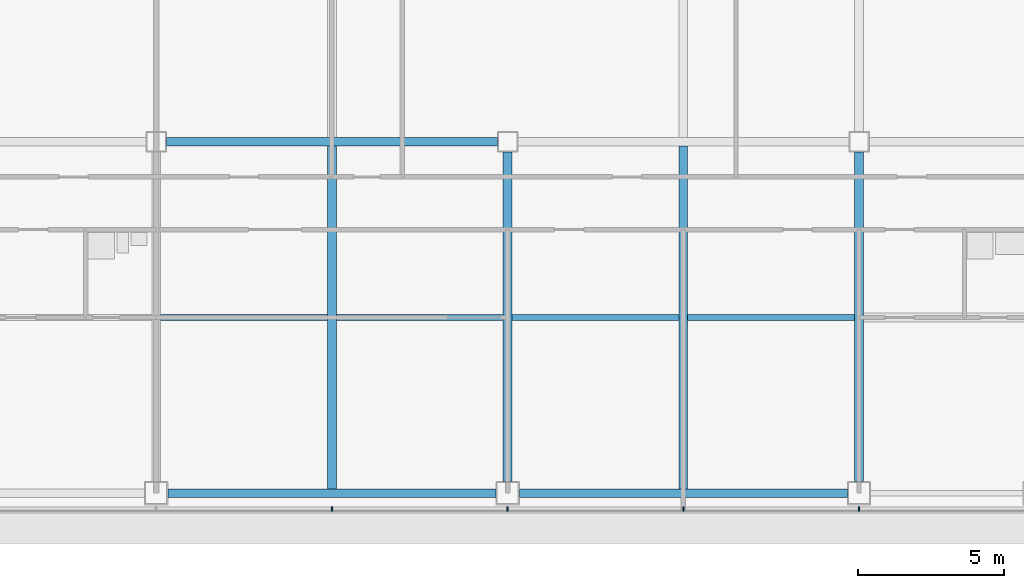
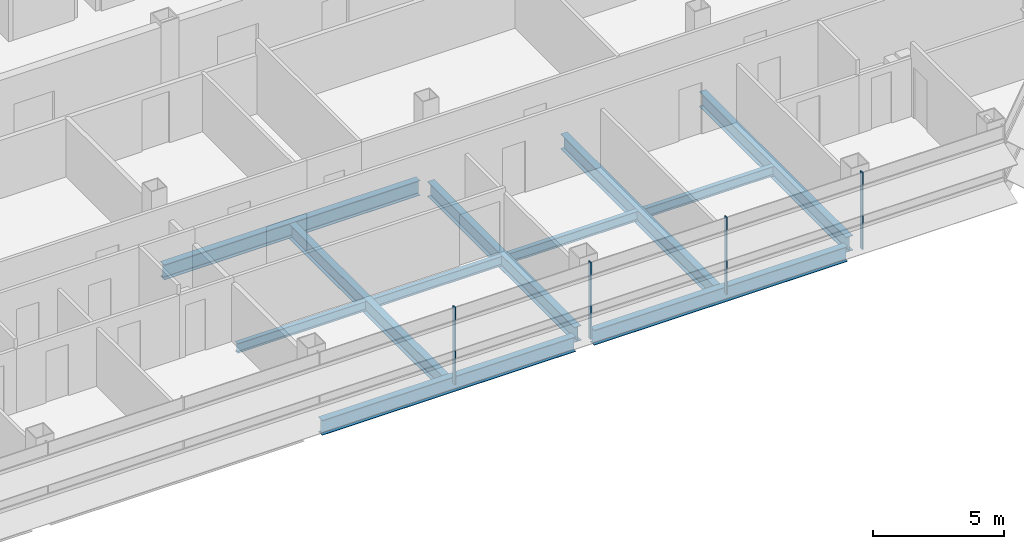
# One storey, part 8 of 25: 11 beams, 4 members, 1 element without a shape of its own.
"""IFC4 building model written with IfcOpenShell, lengths in metres."""

from ifc_helpers import new_model, si_unit, direction, frame, origin, origin_2d, place, context, subcontext, project, spatial, rectangle, i_section, extrude, material, material_profile, profile_set, type_object, element, aggregate, save


model = new_model("IFC4")

# Units and contexts
model_context = context("Model", 3, precision=1e-05, world=origin(), true_north=direction((0.0, 1.0)))
body_context = subcontext(model_context, "Body", "Model", "MODEL_VIEW")
ifc_project = project(units=[si_unit("LENGTHUNIT", "METRE"), si_unit("AREAUNIT", "SQUARE_METRE"), si_unit("VOLUMEUNIT", "CUBIC_METRE"), si_unit("PLANEANGLEUNIT", "RADIAN"), si_unit("MASSUNIT", "GRAM", prefix="KILO")], contexts=[model_context])

# Site, building, storey
site_placement = place(None, origin())
site = spatial("IfcSite", under=ifc_project, at=site_placement, CompositionType="ELEMENT")
building_placement = place(site_placement, origin())
building = spatial("IfcBuilding", under=site, at=building_placement, Name="Sorahane Residences", CompositionType="ELEMENT")
storey_placement = place(building_placement, frame((0.0, 0.0, 143.800048828125)))
storey = spatial("IfcBuildingStorey", under=building, at=storey_placement, Name="L32", CompositionType="ELEMENT", Elevation=143.800048828125)

# Curtain wall, members
ifc_material_1 = material(Name="Dark low-e glass and black anodised aluminium", Category="aluminium")
curtain_wall_type = type_object("IfcCurtainWallType", Name="Curtain wall CW-1 Typical unitised wall", PredefinedType="NOTDEFINED", material=ifc_material_1)
curtain_wall_placement = place(storey_placement, origin())
curtain_wall = element("IfcCurtainWall", 1, at=curtain_wall_placement, inside=storey, type_object=curtain_wall_type, Name="CW-1 curtain wall L32 S1", PredefinedType="NOTDEFINED")
ifc_material_2 = material(Name="Black anodised aluminium", Category="aluminium")
ifc_material_profile_1 = material_profile(ifc_material_2, rectangle(XDim=0.159912109375, YDim=0.050048828125, at=origin_2d()), Name="Curtain wall mullion CW-1 black anodised aluminium 50x160")
ifc_profile_set_1 = profile_set([ifc_material_profile_1], Name="Black anodised aluminium")
member_type = type_object("IfcMemberType", Name="Curtain wall mullion CW-1 black anodised aluminium 50x160", PredefinedType="MULLION", material=ifc_profile_set_1)
member_1_placement = place(storey_placement, frame((30.0, -0.5400390625, -0.179931640625), z_axis=(0.0, 0.0, 1.0), x_axis=(0.0, -1.0, 0.0)))
member_1 = element("IfcMember", 2, at=member_1_placement, type_object=member_type, Name="CW-1 mullion L32 S1.6", PredefinedType="MULLION", context=body_context, shape_type="SweptSolid", body=[
    extrude(rectangle(XDim=0.159912109375, YDim=0.050048828125, at=origin_2d()), origin(), (0.0, 0.0, 1.0), 3.599853515625),
])
member_2_placement = place(storey_placement, frame((36.0, -0.5400390625, -0.179931640625), z_axis=(0.0, 0.0, 1.0), x_axis=(0.0, -1.0, 0.0)))
member_2 = element("IfcMember", 3, at=member_2_placement, type_object=member_type, Name="CW-1 mullion L32 S1.7", PredefinedType="MULLION", context=body_context, shape_type="SweptSolid", body=[
    extrude(rectangle(XDim=0.159912109375, YDim=0.050048828125, at=origin_2d()), origin(), (0.0, 0.0, 1.0), 3.599853515625),
])
member_3_placement = place(storey_placement, frame((42.0, -0.5400390625, -0.179931640625), z_axis=(0.0, 0.0, 1.0), x_axis=(0.0, -1.0, 0.0)))
member_3 = element("IfcMember", 4, at=member_3_placement, type_object=member_type, Name="CW-1 mullion L32 S1.8", PredefinedType="MULLION", context=body_context, shape_type="SweptSolid", body=[
    extrude(rectangle(XDim=0.159912109375, YDim=0.050048828125, at=origin_2d()), origin(), (0.0, 0.0, 1.0), 3.599853515625),
])
member_4_placement = place(storey_placement, frame((48.0, -0.5400390625, -0.179931640625), z_axis=(0.0, 0.0, 1.0), x_axis=(0.0, -1.0, 0.0)))
member_4 = element("IfcMember", 5, at=member_4_placement, type_object=member_type, Name="CW-1 mullion L32 S1.9", PredefinedType="MULLION", context=body_context, shape_type="SweptSolid", body=[
    extrude(rectangle(XDim=0.159912109375, YDim=0.050048828125, at=origin_2d()), origin(), (0.0, 0.0, 1.0), 3.599853515625),
])
aggregate(curtain_wall, [member_1, member_2, member_3, member_4])

# Beams
ifc_material_3 = material(Name="Steel Q355B", Category="steel")
ifc_material_profile_2 = material_profile(ifc_material_3, i_section(OverallWidth=0.199951171875, OverallDepth=0.449951171875, WebThickness=0.009033203125, FlangeThickness=0.013916015625, FilletRadius=0.02001953125, at=origin_2d()), Name="HN 450x200x9x14")
ifc_profile_set_2 = profile_set([ifc_material_profile_2], Name="Steel Q355B")
beam_type_1 = type_object("IfcBeamType", Name="Steel floor beam HN 450x200x9x14 Q355B", PredefinedType="BEAM", material=ifc_profile_set_2)
for number, where, z_axis, x_axis, name in (
    (6, (24.14990234375, 6.0, -0.405029296875), (1.0, 0.0, 0.0), (0.0, 1.0, 0.0), "Beam L32 073"),
    (7, (30.14990234375, 6.0, -0.405029296875), (1.0, 0.0, 0.0), (0.0, 1.0, 0.0), "Beam L32 074"),
    (8, (36.14990234375, 6.0, -0.405029296875), (1.0, 0.0, 0.0), (0.0, 1.0, 0.0), "Beam L32 075"),
    (9, (42.14990234375, 6.0, -0.405029296875), (1.0, 0.0, 0.0), (0.0, 1.0, 0.0), "Beam L32 076"),
):
    element("IfcBeam", number, at=place(storey_placement, frame(where, z_axis=z_axis, x_axis=x_axis)), inside=storey, type_object=beam_type_1, Name=name, PredefinedType="BEAM", context=body_context, shape_type="SweptSolid", body=[
        extrude(i_section(OverallWidth=0.199951171875, OverallDepth=0.449951171875, WebThickness=0.009033203125, FlangeThickness=0.013916015625, FilletRadius=0.02001953125, at=origin_2d()), origin(), (0.0, 0.0, 1.0), 5.7001953125),
    ])
ifc_material_4 = material(Name="Steel Q355B", Category="steel")
ifc_material_profile_3 = material_profile(ifc_material_4, i_section(OverallWidth=0.300048828125, OverallDepth=0.699951171875, WebThickness=0.012939453125, FlangeThickness=0.02392578125, FilletRadius=0.028076171875, at=origin_2d()), Name="HN 700x300x13x24")
ifc_profile_set_3 = profile_set([ifc_material_profile_3], Name="Steel Q355B")
beam_type_2 = type_object("IfcBeamType", Name="Steel floor beam HN 700x300x13x24 Q355B", PredefinedType="BEAM", material=ifc_profile_set_3)
for number, where, z_axis, x_axis, name in (
    (10, (24.39990234375, 0.0, -0.530029296875), (1.0, 0.0, 0.0), (0.0, 1.0, 0.0), "Beam L32 002"),
    (11, (36.39990234375, 0.0, -0.530029296875), (1.0, 0.0, 0.0), (0.0, 1.0, 0.0), "Beam L32 003"),
):
    element("IfcBeam", number, at=place(storey_placement, frame(where, z_axis=z_axis, x_axis=x_axis)), inside=storey, type_object=beam_type_2, Name=name, PredefinedType="BEAM", context=body_context, shape_type="SweptSolid", body=[
        extrude(i_section(OverallWidth=0.300048828125, OverallDepth=0.699951171875, WebThickness=0.012939453125, FlangeThickness=0.02392578125, FilletRadius=0.028076171875, at=origin_2d()), origin(), (0.0, 0.0, 1.0), 11.2001953125),
    ])
beam_1_placement = place(storey_placement, frame((24.35009765625, 12.0, -0.530029296875), z_axis=(1.0, 0.0, 0.0), x_axis=(0.0, 1.0, 0.0)))
element("IfcBeam", 12, at=beam_1_placement, inside=storey, type_object=beam_type_2, Name="Beam L32 008", PredefinedType="BEAM", context=body_context, shape_type="SweptSolid", body=[
    extrude(i_section(OverallWidth=0.300048828125, OverallDepth=0.699951171875, WebThickness=0.012939453125, FlangeThickness=0.02392578125, FilletRadius=0.028076171875, at=origin_2d()), origin(), (0.0, 0.0, 1.0), 11.2998046875),
])
beam_2_placement = place(storey_placement, frame((30.0, 0.14990234375, -0.530029296875), z_axis=(0.0, 1.0, 0.0), x_axis=(-1.0, 0.0, 0.0)))
element("IfcBeam", 13, at=beam_2_placement, inside=storey, type_object=beam_type_2, Name="Beam L32 044", PredefinedType="BEAM", context=body_context, shape_type="SweptSolid", body=[
    extrude(i_section(OverallWidth=0.300048828125, OverallDepth=0.699951171875, WebThickness=0.012939453125, FlangeThickness=0.02392578125, FilletRadius=0.028076171875, at=origin_2d()), origin(), (0.0, 0.0, 1.0), 11.7001953125),
])
beam_3_placement = place(storey_placement, frame((36.0, 0.39990234375, -0.530029296875), z_axis=(0.0, 1.0, 0.0), x_axis=(-1.0, 0.0, 0.0)))
element("IfcBeam", 14, at=beam_3_placement, inside=storey, type_object=beam_type_2, Name="Beam L32 050", PredefinedType="BEAM", context=body_context, shape_type="SweptSolid", body=[
    extrude(i_section(OverallWidth=0.300048828125, OverallDepth=0.699951171875, WebThickness=0.012939453125, FlangeThickness=0.02392578125, FilletRadius=0.028076171875, at=origin_2d()), origin(), (0.0, 0.0, 1.0), 11.25),
])
beam_4_placement = place(storey_placement, frame((42.0, 0.14990234375, -0.530029296875), z_axis=(0.0, 1.0, 0.0), x_axis=(-1.0, 0.0, 0.0)))
element("IfcBeam", 15, at=beam_4_placement, inside=storey, type_object=beam_type_2, Name="Beam L32 052", PredefinedType="BEAM", context=body_context, shape_type="SweptSolid", body=[
    extrude(i_section(OverallWidth=0.300048828125, OverallDepth=0.699951171875, WebThickness=0.012939453125, FlangeThickness=0.02392578125, FilletRadius=0.028076171875, at=origin_2d()), origin(), (0.0, 0.0, 1.0), 11.7001953125),
])
beam_5_placement = place(storey_placement, frame((48.0, 0.39990234375, -0.530029296875), z_axis=(0.0, 1.0, 0.0), x_axis=(-1.0, 0.0, 0.0)))
element("IfcBeam", 16, at=beam_5_placement, inside=storey, type_object=beam_type_2, Name="Beam L32 058", PredefinedType="BEAM", context=body_context, shape_type="SweptSolid", body=[
    extrude(i_section(OverallWidth=0.300048828125, OverallDepth=0.699951171875, WebThickness=0.012939453125, FlangeThickness=0.02392578125, FilletRadius=0.028076171875, at=origin_2d()), origin(), (0.0, 0.0, 1.0), 11.25),
])

save(model, "model.ifc")
